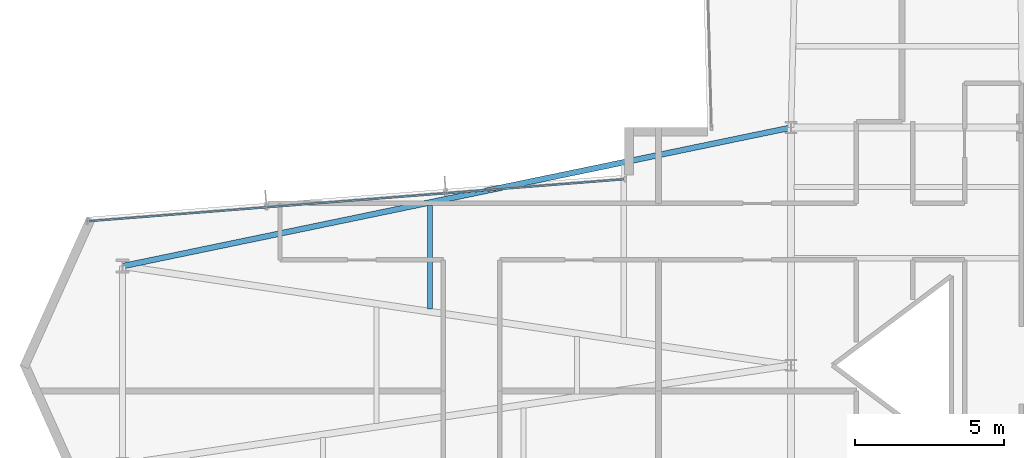
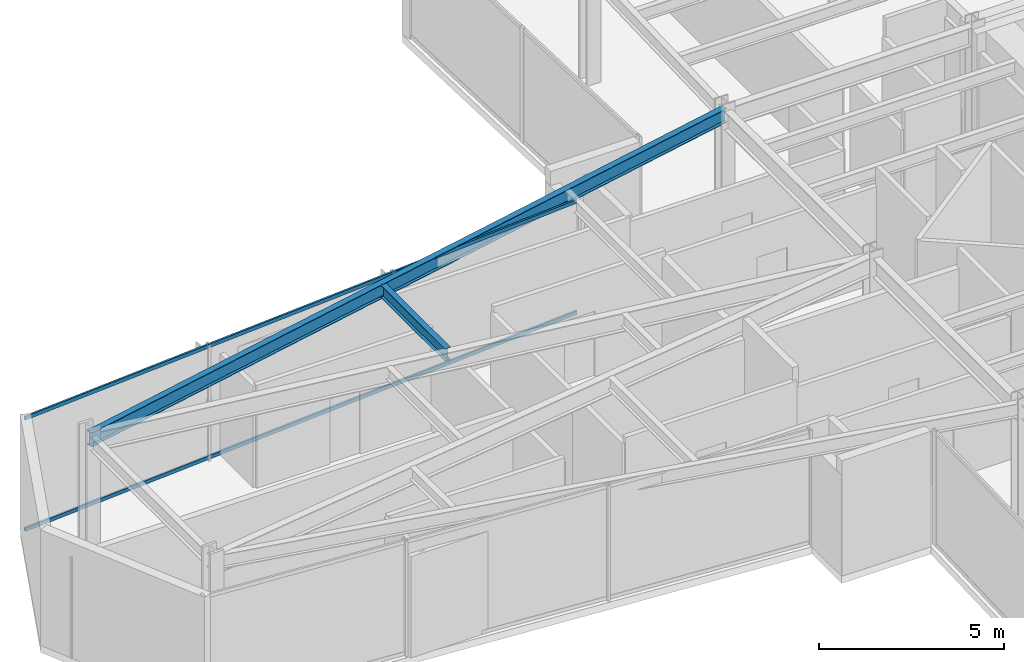
# One storey, part 10 of 30: 2 beams, 2 members, 1 element without a shape of its own.
"""IFC4 building model written with IfcOpenShell, lengths in metres."""

from ifc_helpers import new_model, si_unit, direction, frame, origin, origin_2d, place, context, subcontext, project, spatial, hollow_rectangle, i_section, extrude, material, layer, layer_set, material_profile, profile_set, type_object, element, aggregate, save


model = new_model("IFC4")

# Units and contexts
model_context = context("Model", 3, precision=1e-05, world=origin(), true_north=direction((0.0, 1.0)))
body_context = subcontext(model_context, "Body", "Model", "MODEL_VIEW")
ifc_project = project(units=[si_unit("LENGTHUNIT", "METRE"), si_unit("AREAUNIT", "SQUARE_METRE"), si_unit("VOLUMEUNIT", "CUBIC_METRE"), si_unit("PLANEANGLEUNIT", "RADIAN"), si_unit("MASSUNIT", "GRAM", prefix="KILO")], contexts=[model_context])

# Site, building, storey
site_placement = place(None, origin())
site = spatial("IfcSite", under=ifc_project, at=site_placement, CompositionType="ELEMENT")
building_placement = place(site_placement, origin())
building = spatial("IfcBuilding", under=site, at=building_placement, Name="Veymaron Broadcast Tower", CompositionType="ELEMENT")
storey_placement = place(building_placement, frame((0.0, 0.0, 66.14990234375)))
storey = spatial("IfcBuildingStorey", under=building, at=storey_placement, Name="L14", CompositionType="ELEMENT", Elevation=66.14990234375)

# Beams
ifc_material_1 = material(Name="Structural steel ASTM A992 Gr 50", Category="steel")
ifc_material_profile_1 = material_profile(ifc_material_1, i_section(OverallWidth=0.177978515625, OverallDepth=0.406982421875, WebThickness=0.0078125, FlangeThickness=0.0126953125, at=origin_2d()), Name="W410X60")
ifc_profile_set_1 = profile_set([ifc_material_profile_1], Name="Structural steel ASTM A992 Gr 50")
beam_type_1 = type_object("IfcBeamType", Name="BM-JS1", PredefinedType="JOIST", material=ifc_profile_set_1)
beam_1_placement = place(storey_placement, frame((19.04833984375, 25.90087890625, 3.606689453125), z_axis=(0.0, 1.0, 0.0), x_axis=(-1.0, 0.0, 0.0)))
element("IfcBeam", 1, at=beam_1_placement, inside=storey, type_object=beam_type_1, Name="L14 Arm-A secondary joist 1N", PredefinedType="JOIST", context=body_context, shape_type="SweptSolid", body=[
    extrude(i_section(OverallWidth=0.177978515625, OverallDepth=0.406982421875, WebThickness=0.0078125, FlangeThickness=0.0126953125, at=origin_2d()), origin(), (0.0, 0.0, 1.0), 3.47998046875),
])
ifc_material_profile_2 = material_profile(ifc_material_1, i_section(OverallWidth=0.19091796875, OverallDepth=0.4599609375, WebThickness=0.010009765625, FlangeThickness=0.01611328125, at=origin_2d()), Name="W460X82")
ifc_profile_set_2 = profile_set([ifc_material_profile_2], Name="Structural steel ASTM A992 Gr 50")
beam_type_2 = type_object("IfcBeamType", Name="BM-SP1", PredefinedType="SPANDREL", material=ifc_profile_set_2)
beam_2_placement = place(storey_placement, frame((8.697021484375, 27.3349609375, 3.580078125), z_axis=(0.979180395187, 0.202992003984, 0.0), x_axis=(-0.202992003984, 0.979180395187, 0.0)))
element("IfcBeam", 2, at=beam_2_placement, inside=storey, type_object=beam_type_2, Name="L14 primary structural floor girder", PredefinedType="SPANDREL", context=body_context, shape_type="SweptSolid", body=[
    extrude(i_section(OverallWidth=0.19091796875, OverallDepth=0.4599609375, WebThickness=0.010009765625, FlangeThickness=0.01611328125, at=origin_2d()), origin(), (0.0, 0.0, 1.0), 22.9814453125),
])

# Curtain wall, members
ifc_material_2 = material(Name="Anodised aluminium AA 6063-T6 and laminated low-E dark glass", Category="aluminium")
ifc_layer = layer(ifc_material_2, 0.179931640625)
ifc_layer_set = layer_set([ifc_layer], Name="Anodised aluminium AA 6063-T6 and laminated low-E dark glass")
curtain_wall_type = type_object("IfcCurtainWallType", Name="CW-SYS-02", PredefinedType="NOTDEFINED", material=ifc_layer_set)
curtain_wall_placement = place(storey_placement, origin())
curtain_wall = element("IfcCurtainWall", 3, at=curtain_wall_placement, inside=storey, type_object=curtain_wall_type, Name="L14 dark-glass curtain wall CW-L14-E11-1", PredefinedType="NOTDEFINED")
ifc_material_3 = material(Name="Anodised aluminium AA 6063-T6", Category="aluminium")
ifc_material_profile_3 = material_profile(ifc_material_3, hollow_rectangle(XDim=0.06005859375, YDim=0.1201171875, WallThickness=0.00390625, at=origin_2d()), Name="AL120X60X4")
ifc_profile_set_3 = profile_set([ifc_material_profile_3], Name="Anodised aluminium AA 6063-T6")
member_type = type_object("IfcMemberType", Name="CW-TRN-02", PredefinedType="USERDEFINED", material=ifc_profile_set_3)
member_1_placement = place(storey_placement, frame((25.569091796875, 30.2568359375, 0.070068359375), z_axis=(-0.996952327032, -0.078013188791, 0.0), x_axis=(0.078013188791, -0.996952327032, 0.0)))
member_1 = element("IfcMember", 4, at=member_1_placement, type_object=member_type, Name="CW-L14-E11-1 transom B", ObjectType="TRANSOM", PredefinedType="USERDEFINED", context=body_context, shape_type="SweptSolid", body=[
    extrude(hollow_rectangle(XDim=0.06005859375, YDim=0.1201171875, WallThickness=0.00390625, at=origin_2d()), origin(), (0.0, 0.0, 1.0), 18.063232421875),
])
member_2_placement = place(storey_placement, frame((25.569091796875, 30.2568359375, 3.739990234375), z_axis=(-0.996952327032, -0.078013188791, 0.0), x_axis=(0.078013188791, -0.996952327032, 0.0)))
member_2 = element("IfcMember", 5, at=member_2_placement, type_object=member_type, Name="CW-L14-E11-1 transom T", ObjectType="TRANSOM", PredefinedType="USERDEFINED", context=body_context, shape_type="SweptSolid", body=[
    extrude(hollow_rectangle(XDim=0.06005859375, YDim=0.1201171875, WallThickness=0.00390625, at=origin_2d()), origin(), (0.0, 0.0, 1.0), 18.063232421875),
])
aggregate(curtain_wall, [member_1, member_2])

save(model, "model.ifc")
